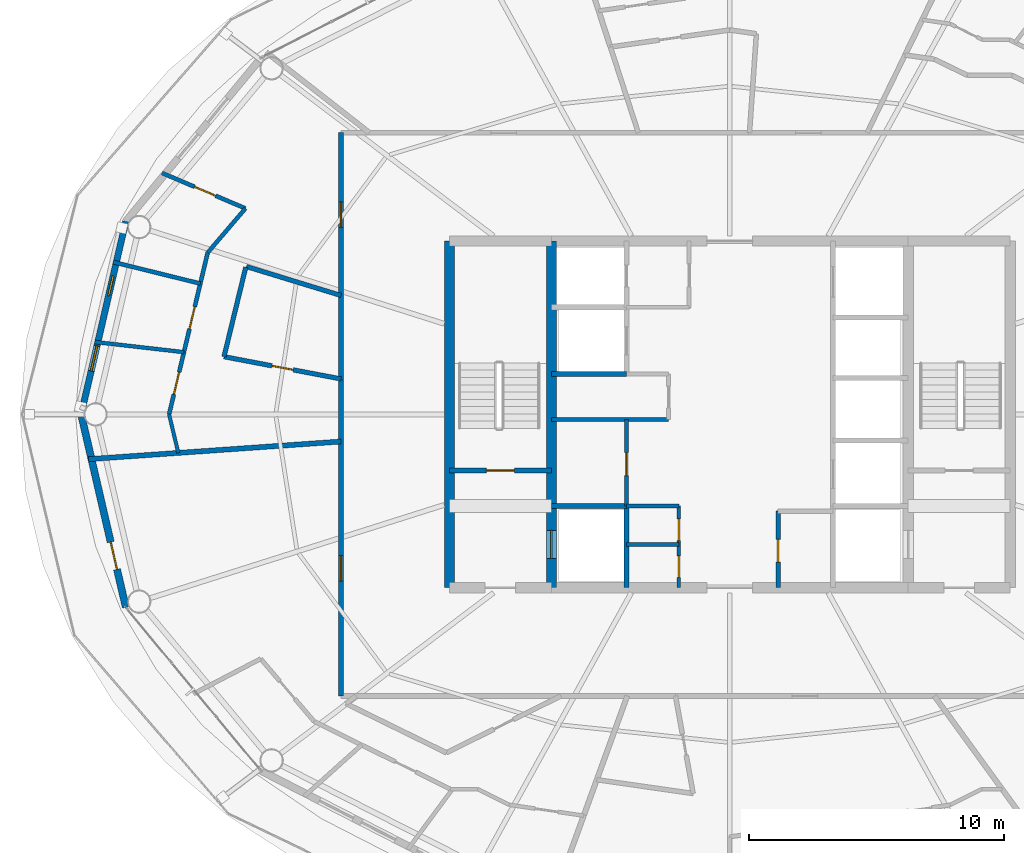
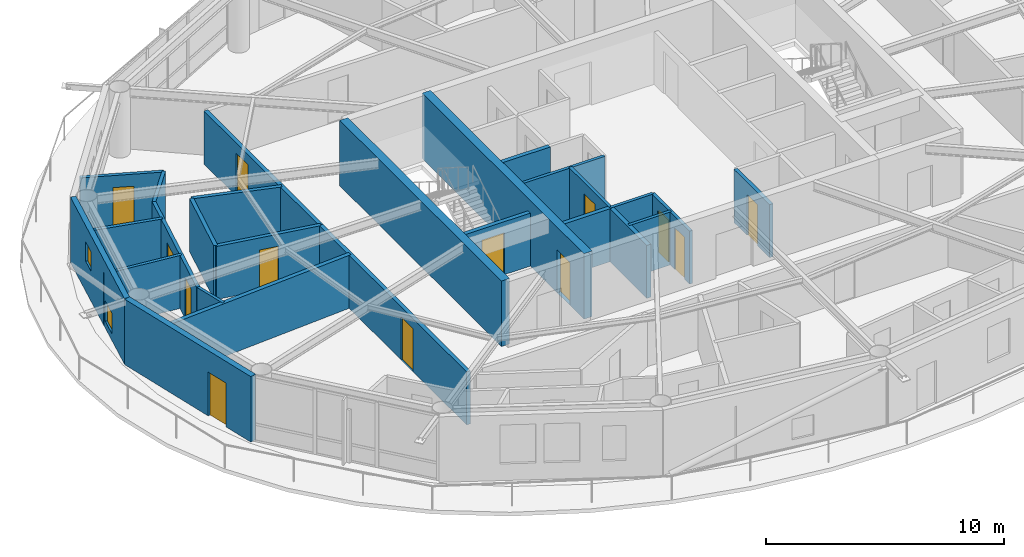
# One storey, part 16 of 23: 26 walls, 13 doors, 2 windows, 15 openings.
"""IFC4 building model written with IfcOpenShell, lengths in metres."""

from ifc_helpers import new_model, si_unit, direction, frame, frame_2d, origin, place, context, subcontext, project, spatial, rectangle, extrude, material, layer, layer_set, type_object, element, fill, save


model = new_model("IFC4")

# Units and contexts
model_context = context("Model", 3, precision=1e-05, world=origin(), true_north=direction((0.0, 1.0)))
body_context = subcontext(model_context, "Body", "Model", "MODEL_VIEW")
ifc_project = project(units=[si_unit("LENGTHUNIT", "METRE"), si_unit("AREAUNIT", "SQUARE_METRE"), si_unit("VOLUMEUNIT", "CUBIC_METRE"), si_unit("PLANEANGLEUNIT", "RADIAN"), si_unit("MASSUNIT", "GRAM", prefix="KILO")], contexts=[model_context])

# Site, building, storey
site_placement = place(None, origin())
site = spatial("IfcSite", under=ifc_project, at=site_placement, CompositionType="ELEMENT")
building_placement = place(site_placement, origin())
building = spatial("IfcBuilding", under=site, at=building_placement, Name="Sarneth Arch Tower", CompositionType="ELEMENT")
storey_placement = place(building_placement, frame((0.0, 0.0, 220.800048828125)))
storey = spatial("IfcBuildingStorey", under=building, at=storey_placement, Name="L56", CompositionType="ELEMENT", Elevation=220.800048828125)

# Wall
ifc_material_1 = material(Name="Concrete C50/60", Category="concrete")
ifc_layer_1 = layer(ifc_material_1, 0.39990234375)
ifc_layer_set_1 = layer_set([ifc_layer_1], Name="Concrete C50/60")
wall_type_1 = type_object("IfcWallType", Name="WALL-CORE-400", PredefinedType="SHEAR", material=ifc_layer_set_1)
wall_1_placement = place(storey_placement, frame((37.0, 35.199951171875, 0.0), z_axis=(0.0, 0.0, 1.0), x_axis=(0.0, 1.0, 0.0)))
element("IfcWall", 1, at=wall_1_placement, inside=storey, type_object=wall_type_1, Name="L56 Core shear wall W", PredefinedType="SHEAR", context=body_context, shape_type="SweptSolid", body=[
    extrude(rectangle(XDim=13.60009765625, YDim=0.39990234375, at=frame_2d((6.800048828125, 0.0))), origin(), (0.0, 0.0, 1.0), 3.35986328125),
])

# Wall, opening, door
wall_2_placement = place(storey_placement, frame((41.0, 35.199951171875, 0.0), z_axis=(0.0, 0.0, 1.0), x_axis=(0.0, 1.0, 0.0)))
wall_2 = element("IfcWall", 2, at=wall_2_placement, inside=storey, type_object=wall_type_1, Name="L56 Core shear wall WEB-W", PredefinedType="SHEAR", context=body_context, shape_type="SweptSolid", body=[
    extrude(rectangle(XDim=13.60009765625, YDim=0.39990234375, at=frame_2d((6.800048828125, 0.0))), origin(), (0.0, 0.0, 1.0), 3.35986328125),
])
opening_1_placement = place(wall_2_placement, frame((1.14990234375, 0.0, 0.0)))
opening_1 = element("IfcOpeningElement", 3, at=opening_1_placement, cuts=wall_2, Name="Opening LD-1", PredefinedType="OPENING", context=body_context, shape_type="SweptSolid", body=[
    extrude(rectangle(XDim=1.10009765625, YDim=2.199951171875, at=frame_2d((0.550048828125, 1.10009765625))), frame((0.0, 0.2099609375, 0.0), z_axis=(0.0, -1.0, 0.0), x_axis=(1.0, 0.0, 0.0)), (0.0, 0.0, 1.0), 0.419921875),
])
ifc_material_2 = material(Name="Brushed Stainless Steel 304 lift landing door", Category="steel")
door_type_1 = type_object("IfcDoorType", Name="DR-LIFT-SLIDE-1100", OperationType="SLIDING_TO_LEFT", PredefinedType="DOOR", material=ifc_material_2)
door_1_placement = place(opening_1_placement, origin())
door_1 = element("IfcDoor", 4, at=door_1_placement, inside=storey, type_object=door_type_1, Name="L56 Firefighting lift landing door FL-1", OperationType="SLIDING_TO_LEFT", OverallHeight=2.199951171875, OverallWidth=1.10009765625, PredefinedType="DOOR", context=body_context, shape_type="SweptSolid", body=[
    extrude(rectangle(XDim=1.10009765625, YDim=2.199951171875, at=frame_2d((0.550048828125, 1.10009765625))), frame((0.0, 0.02490234375, 0.0), z_axis=(0.0, -1.0, 0.0), x_axis=(1.0, 0.0, 0.0)), (0.0, 0.0, 1.0), 0.050048828125),
])
fill(opening_1, door_1)

ifc_material_3 = material(Name="Double steel-stud corridor fire wall", Category="steel")
ifc_layer_2 = layer(ifc_material_3, 0.18994140625)
ifc_layer_set_2 = layer_set([ifc_layer_2], Name="Double steel-stud corridor fire wall")
wall_type_2 = type_object("IfcWallType", Name="WALL-CORR-190", PredefinedType="PARTITIONING", material=ifc_layer_set_2)
wall_3_placement = place(storey_placement, frame((32.75, 30.949951171875, 0.0), z_axis=(0.0, 0.0, 1.0), x_axis=(0.0, 1.0, 0.0)))
wall_3 = element("IfcWall", 5, at=wall_3_placement, inside=storey, type_object=wall_type_2, Name="L56 Interior partition W-L56-TP-012", PredefinedType="PARTITIONING", context=body_context, shape_type="SweptSolid", body=[
    extrude(rectangle(XDim=12.47119140625, YDim=0.18994140625, at=frame_2d((6.235595703125, 0.0))), origin(), (0.0, 0.0, 1.0), 2.719970703125),
])
opening_2_placement = place(wall_3_placement, frame((4.5078125, 0.0, 0.0)))
opening_2 = element("IfcOpeningElement", 6, at=opening_2_placement, cuts=wall_3, Name="Opening FD-08", PredefinedType="OPENING", context=body_context, shape_type="SweptSolid", body=[
    extrude(rectangle(XDim=1.0, YDim=2.199951171875, at=frame_2d((0.5, 1.10009765625))), frame((0.0, 0.10498046875, 0.0), z_axis=(0.0, -1.0, 0.0), x_axis=(1.0, 0.0, 0.0)), (0.0, 0.0, 1.0), 0.2099609375),
])
ifc_material_4 = material(Name="Hardwood timber acoustic fire door", Category="wood")
door_type_2 = type_object("IfcDoorType", Name="DR-FD60-1000", OperationType="SINGLE_SWING_LEFT", PredefinedType="DOOR", material=ifc_material_4)
door_2_placement = place(opening_2_placement, origin())
door_2 = element("IfcDoor", 7, at=door_2_placement, inside=storey, type_object=door_type_2, Name="L56 Interior door DR-L56-U5-ENT", OperationType="SINGLE_SWING_LEFT", OverallHeight=2.199951171875, OverallWidth=1.0, PredefinedType="DOOR", context=body_context, shape_type="SweptSolid", body=[
    extrude(rectangle(XDim=1.0, YDim=2.199951171875, at=frame_2d((0.5, 1.10009765625))), frame((0.0, 0.02490234375, 0.0), z_axis=(0.0, -1.0, 0.0), x_axis=(1.0, 0.0, 0.0)), (0.0, 0.0, 1.0), 0.050048828125),
])
fill(opening_2, door_2)

wall_4_placement = place(storey_placement, frame((32.75, 43.35595703125, 0.0), z_axis=(0.0, 0.0, 1.0), x_axis=(0.0, 1.0, 0.0)))
wall_4 = element("IfcWall", 8, at=wall_4_placement, inside=storey, type_object=wall_type_2, Name="L56 Interior partition W-L56-TP-008", PredefinedType="PARTITIONING", context=body_context, shape_type="SweptSolid", body=[
    extrude(rectangle(XDim=9.694091796875, YDim=0.18994140625, at=frame_2d((4.84716796875, 0.0))), origin(), (0.0, 0.0, 1.0), 2.719970703125),
])
opening_3_placement = place(wall_4_placement, frame((5.9833984375, 0.0, 0.0)))
opening_3 = element("IfcOpeningElement", 9, at=opening_3_placement, cuts=wall_4, Name="Opening FD-08", PredefinedType="OPENING", context=body_context, shape_type="SweptSolid", body=[
    extrude(rectangle(XDim=1.0, YDim=2.199951171875, at=frame_2d((0.5, 1.10009765625))), frame((0.0, 0.10498046875, 0.0), z_axis=(0.0, -1.0, 0.0), x_axis=(1.0, 0.0, 0.0)), (0.0, 0.0, 1.0), 0.2099609375),
])
door_3_placement = place(opening_3_placement, origin())
door_3 = element("IfcDoor", 10, at=door_3_placement, inside=storey, type_object=door_type_2, Name="L56 Interior door DR-L56-U4-ENT", OperationType="SINGLE_SWING_LEFT", OverallHeight=2.199951171875, OverallWidth=1.0, PredefinedType="DOOR", context=body_context, shape_type="SweptSolid", body=[
    extrude(rectangle(XDim=1.0, YDim=2.199951171875, at=frame_2d((0.5, 1.10009765625))), frame((0.0, 0.02490234375, 0.0), z_axis=(0.0, -1.0, 0.0), x_axis=(1.0, 0.0, 0.0)), (0.0, 0.0, 1.0), 0.050048828125),
])
fill(opening_3, door_3)

# Wall, openings, windows
ifc_material_5 = material(Name="Extruded terracotta rainscreen on Concrete C40/50 backing", Category="masonry")
ifc_layer_3 = layer(ifc_material_5, 0.25)
ifc_layer_set_3 = layer_set([ifc_layer_3], Name="Extruded terracotta rainscreen on Concrete C40/50 backing")
wall_type_3 = type_object("IfcWallType", Name="WALL-EXT-SPAND-250", PredefinedType="SOLIDWALL", material=ifc_layer_set_3)
wall_5_placement = place(storey_placement, frame((24.30615234375, 49.569580078125, 0.0), z_axis=(0.0, 0.0, 1.0), x_axis=(-0.225635078214, -0.974211892495, 0.0)))
wall_5 = element("IfcWall", 11, at=wall_5_placement, inside=storey, type_object=wall_type_3, Name="L56 Terracotta perimeter wall 08", PredefinedType="SOLIDWALL", context=body_context, shape_type="SweptSolid", body=[
    extrude(rectangle(XDim=7.77001953125, YDim=0.25, at=frame_2d((3.885009765625, 0.0))), origin(), (0.0, 0.0, 1.0), 3.35986328125),
])
opening_4_placement = place(wall_5_placement, frame((2.195068359375, 0.0, 1.5400390625)))
opening_4 = element("IfcOpeningElement", 12, at=opening_4_placement, cuts=wall_5, Name="Opening W-15", PredefinedType="OPENING", context=body_context, shape_type="SweptSolid", body=[
    extrude(rectangle(XDim=0.800048828125, YDim=1.0, at=frame_2d((0.39990234375, 0.5))), frame((0.0, 0.135009765625, 0.0), z_axis=(0.0, -1.0, 0.0), x_axis=(1.0, 0.0, 0.0)), (0.0, 0.0, 1.0), 0.27001953125),
])
opening_5_placement = place(wall_5_placement, frame((5.02392578125, 0.0, 0.35009765625)))
opening_5 = element("IfcOpeningElement", 13, at=opening_5_placement, cuts=wall_5, Name="Opening W-14", PredefinedType="OPENING", context=body_context, shape_type="SweptSolid", body=[
    extrude(rectangle(XDim=1.0, YDim=1.050048828125, at=frame_2d((0.5, 0.52490234375))), frame((0.0, 0.135009765625, 0.0), z_axis=(0.0, -1.0, 0.0), x_axis=(1.0, 0.0, 0.0)), (0.0, 0.0, 1.0), 0.27001953125),
])
ifc_material_6 = material(Name="Thermally broken Aluminium 6063-T6 and low-e laminated IGU", Category="aluminium")
window_type_1 = type_object("IfcWindowType", Name="WIN-TWR-1000x1050", PartitioningType="SINGLE_PANEL", PredefinedType="WINDOW", material=ifc_material_6)
window_1_placement = place(opening_5_placement, origin())
window_1 = element("IfcWindow", 14, at=window_1_placement, inside=storey, type_object=window_type_1, Name="L56 Dwelling bedroom window 03", OverallHeight=1.050048828125, OverallWidth=1.0, PartitioningType="SINGLE_PANEL", PredefinedType="WINDOW", context=body_context, shape_type="SweptSolid", body=[
    extrude(rectangle(XDim=1.0, YDim=1.050048828125, at=frame_2d((0.5, 0.52490234375))), frame((0.0, 0.030029296875, 0.0), z_axis=(0.0, -1.0, 0.0), x_axis=(1.0, 0.0, 0.0)), (0.0, 0.0, 1.0), 0.06005859375),
])
fill(opening_5, window_1)
ifc_material_7 = material(Name="Thermally broken Aluminium 6063-T6 and low-e laminated IGU", Category="aluminium")
window_type_2 = type_object("IfcWindowType", Name="WIN-TWR-800x1000", PartitioningType="SINGLE_PANEL", PredefinedType="WINDOW", material=ifc_material_7)
window_2_placement = place(opening_4_placement, origin())
window_2 = element("IfcWindow", 15, at=window_2_placement, inside=storey, type_object=window_type_2, Name="L56 Dwelling bedroom window 02", OverallHeight=1.0, OverallWidth=0.800048828125, PartitioningType="SINGLE_PANEL", PredefinedType="WINDOW", context=body_context, shape_type="SweptSolid", body=[
    extrude(rectangle(XDim=0.800048828125, YDim=1.0, at=frame_2d((0.39990234375, 0.5))), frame((0.0, 0.030029296875, 0.0), z_axis=(0.0, -1.0, 0.0), x_axis=(1.0, 0.0, 0.0)), (0.0, 0.0, 1.0), 0.06005859375),
])
fill(opening_4, window_2)

# Wall, opening, door
ifc_material_8 = material(Name="Extruded terracotta rainscreen on Concrete C40/50 backing", Category="masonry")
ifc_layer_4 = layer(ifc_material_8, 0.280029296875)
ifc_layer_set_4 = layer_set([ifc_layer_4], Name="Extruded terracotta rainscreen on Concrete C40/50 backing")
wall_type_4 = type_object("IfcWallType", Name="WALL-EXT-TERRA-280", PredefinedType="SOLIDWALL", material=ifc_layer_set_4)
wall_6_placement = place(storey_placement, frame((22.552978515625, 42.0, 0.0), z_axis=(0.0, 0.0, 1.0), x_axis=(0.225635078214, -0.974211892495, 0.0)))
wall_6 = element("IfcWall", 16, at=wall_6_placement, inside=storey, type_object=wall_type_4, Name="L56 Terracotta perimeter wall 09", PredefinedType="SOLIDWALL", context=body_context, shape_type="SweptSolid", body=[
    extrude(rectangle(XDim=7.77001953125, YDim=0.280029296875, at=frame_2d((3.885009765625, 0.0))), origin(), (0.0, 0.0, 1.0), 3.35986328125),
])
opening_6_placement = place(wall_6_placement, frame((5.14208984375, 0.0, 0.0)))
opening_6 = element("IfcOpeningElement", 17, at=opening_6_placement, cuts=wall_6, Name="Opening BD-3", PredefinedType="OPENING", context=body_context, shape_type="SweptSolid", body=[
    extrude(rectangle(XDim=1.10009765625, YDim=2.25, at=frame_2d((0.550048828125, 1.125))), frame((0.0, 0.14990234375, 0.0), z_axis=(0.0, -1.0, 0.0), x_axis=(1.0, 0.0, 0.0)), (0.0, 0.0, 1.0), 0.300048828125),
])
ifc_material_9 = material(Name="Thermally broken Aluminium 6063-T6 and laminated safety glass", Category="aluminium")
door_type_3 = type_object("IfcDoorType", Name="DR-BALC-GLZ-1100", OperationType="SINGLE_SWING_LEFT", PredefinedType="DOOR", material=ifc_material_9)
door_4_placement = place(opening_6_placement, origin())
door_4 = element("IfcDoor", 18, at=door_4_placement, inside=storey, type_object=door_type_3, Name="L56 Balcony glazed door 09", OperationType="SINGLE_SWING_LEFT", OverallHeight=2.25, OverallWidth=1.10009765625, PredefinedType="DOOR", context=body_context, shape_type="SweptSolid", body=[
    extrude(rectangle(XDim=1.10009765625, YDim=2.25, at=frame_2d((0.550048828125, 1.125))), frame((0.0, 0.02490234375, 0.0), z_axis=(0.0, -1.0, 0.0), x_axis=(1.0, 0.0, 0.0)), (0.0, 0.0, 1.0), 0.050048828125),
])
fill(opening_6, door_4)

# Wall
ifc_material_10 = material(Name="Apartment internal stud partition", Category="gypsum")
ifc_layer_5 = layer(ifc_material_10, 0.139892578125)
ifc_layer_set_5 = layer_set([ifc_layer_5], Name="Apartment internal stud partition")
wall_type_5 = type_object("IfcWallType", Name="WALL-PART-140", PredefinedType="PARTITIONING", material=ifc_layer_set_5)
wall_7_placement = place(storey_placement, frame((26.003662109375, 42.0, 0.0), z_axis=(0.0, 0.0, 1.0), x_axis=(0.232292411737, -0.972645996984, 0.0)))
element("IfcWall", 19, at=wall_7_placement, inside=storey, type_object=wall_type_5, Name="L56 Interior partition W-L56-TP-061", PredefinedType="PARTITIONING", context=body_context, shape_type="SweptSolid", body=[
    extrude(rectangle(XDim=1.555419921875, YDim=0.139892578125, at=frame_2d((0.77783203125, 0.0))), origin(), (0.0, 0.0, 1.0), 2.719970703125),
])

# Wall, opening, door
ifc_material_11 = material(Name="Acoustic gypsum stud partition", Category="gypsum")
ifc_layer_6 = layer(ifc_material_11, 0.14990234375)
ifc_layer_set_6 = layer_set([ifc_layer_6], Name="Acoustic gypsum stud partition")
wall_type_6 = type_object("IfcWallType", Name="WALL-PART-150", PredefinedType="PARTITIONING", material=ifc_layer_set_6)
wall_8_placement = place(storey_placement, frame((43.949951171875, 38.39990234375, 0.0), z_axis=(0.0, 0.0, 1.0), x_axis=(0.0, 1.0, 0.0)))
wall_8 = element("IfcWall", 20, at=wall_8_placement, inside=storey, type_object=wall_type_6, Name="L56 Interior partition W-L56-RECPL-E1", PredefinedType="PARTITIONING", context=body_context, shape_type="SweptSolid", body=[
    extrude(rectangle(XDim=3.400146484375, YDim=0.14990234375, at=frame_2d((1.7001953125, 0.0))), origin(), (0.0, 0.0, 1.0), 2.719970703125),
])
opening_7_placement = place(wall_8_placement, frame((1.199951171875, 0.0, 0.0)))
opening_7 = element("IfcOpeningElement", 21, at=opening_7_placement, cuts=wall_8, Name="Opening FD-10", PredefinedType="OPENING", context=body_context, shape_type="SweptSolid", body=[
    extrude(rectangle(XDim=0.89990234375, YDim=2.14990234375, at=frame_2d((0.449951171875, 1.074951171875))), frame((0.0, 0.0849609375, 0.0), z_axis=(0.0, -1.0, 0.0), x_axis=(1.0, 0.0, 0.0)), (0.0, 0.0, 1.0), 0.169921875),
])
ifc_material_12 = material(Name="Galvanised Steel S275 riser/service fire door", Category="steel")
door_type_4 = type_object("IfcDoorType", Name="DR-FD60-900", OperationType="SINGLE_SWING_LEFT", PredefinedType="DOOR", material=ifc_material_12)
door_5_placement = place(opening_7_placement, origin())
door_5 = element("IfcDoor", 22, at=door_5_placement, inside=storey, type_object=door_type_4, Name="L56 Interior door DR-L56-RECPL1", OperationType="SINGLE_SWING_LEFT", OverallHeight=2.14990234375, OverallWidth=0.89990234375, PredefinedType="DOOR", context=body_context, shape_type="SweptSolid", body=[
    extrude(rectangle(XDim=0.89990234375, YDim=2.14990234375, at=frame_2d((0.449951171875, 1.074951171875))), frame((0.0, 0.02490234375, 0.0), z_axis=(0.0, -1.0, 0.0), x_axis=(1.0, 0.0, 0.0)), (0.0, 0.0, 1.0), 0.050048828125),
])
fill(opening_7, door_5)

# Walls
wall_9_placement = place(storey_placement, frame((41.0, 41.800048828125, 0.0), z_axis=(0.0, 0.0, 1.0), x_axis=(1.0, 0.0, 0.0)))
element("IfcWall", 23, at=wall_9_placement, inside=storey, type_object=wall_type_6, Name="L56 Interior partition W-L56-RECPL-S2", PredefinedType="PARTITIONING", context=body_context, shape_type="SweptSolid", body=[
    extrude(rectangle(XDim=4.60009765625, YDim=0.14990234375, at=frame_2d((2.300048828125, 0.0))), origin(), (0.0, 0.0, 1.0), 2.719970703125),
])
for number, where, z_axis, x_axis, name in (
    (24, (43.949951171875, 36.89990234375, 0.0), (0.0, 0.0, 1.0), (1.0, 0.0, 0.0), "L56 Interior partition W-L56-CSUP-M"),
    (25, (43.949951171875, 38.39990234375, 0.0), (0.0, 0.0, 1.0), (1.0, 0.0, 0.0), "L56 Interior partition W-L56-CSUP-N"),
):
    element("IfcWall", number, at=place(storey_placement, frame(where, z_axis=z_axis, x_axis=x_axis)), inside=storey, type_object=wall_type_6, Name=name, PredefinedType="PARTITIONING", context=body_context, shape_type="SweptSolid", body=[
        extrude(rectangle(XDim=2.050048828125, YDim=0.14990234375, at=frame_2d((1.02490234375, 0.0))), origin(), (0.0, 0.0, 1.0), 2.719970703125),
    ])

# Wall, openings, doors
wall_10_placement = place(storey_placement, frame((46.0, 35.199951171875, 0.0), z_axis=(0.0, 0.0, 1.0), x_axis=(0.0, 1.0, 0.0)))
wall_10 = element("IfcWall", 26, at=wall_10_placement, inside=storey, type_object=wall_type_6, Name="L56 Interior partition W-L56-CSUP-E", PredefinedType="PARTITIONING", context=body_context, shape_type="SweptSolid", body=[
    extrude(rectangle(XDim=3.199951171875, YDim=0.14990234375, at=frame_2d((1.60009765625, 0.0))), origin(), (0.0, 0.0, 1.0), 2.719970703125),
])
opening_8_placement = place(wall_10_placement, frame((0.39990234375, 0.0, 0.0)))
opening_8 = element("IfcOpeningElement", 27, at=opening_8_placement, cuts=wall_10, Name="Opening FD-11", PredefinedType="OPENING", context=body_context, shape_type="SweptSolid", body=[
    extrude(rectangle(XDim=0.85009765625, YDim=2.14990234375, at=frame_2d((0.425048828125, 1.074951171875))), frame((0.0, 0.0849609375, 0.0), z_axis=(0.0, -1.0, 0.0), x_axis=(1.0, 0.0, 0.0)), (0.0, 0.0, 1.0), 0.169921875),
])
opening_9_placement = place(wall_10_placement, frame((1.85009765625, 0.0, 0.0)))
opening_9 = element("IfcOpeningElement", 28, at=opening_9_placement, cuts=wall_10, Name="Opening FD-11", PredefinedType="OPENING", context=body_context, shape_type="SweptSolid", body=[
    extrude(rectangle(XDim=0.85009765625, YDim=2.14990234375, at=frame_2d((0.425048828125, 1.074951171875))), frame((0.0, 0.0849609375, 0.0), z_axis=(0.0, -1.0, 0.0), x_axis=(1.0, 0.0, 0.0)), (0.0, 0.0, 1.0), 0.169921875),
])
ifc_material_13 = material(Name="Galvanised Steel S275 closet fire door", Category="steel")
door_type_5 = type_object("IfcDoorType", Name="DR-FD60-850", OperationType="SINGLE_SWING_LEFT", PredefinedType="DOOR", material=ifc_material_13)
door_6_placement = place(opening_8_placement, origin())
door_6 = element("IfcDoor", 29, at=door_6_placement, inside=storey, type_object=door_type_5, Name="L56 Interior door DR-L56-CSUP1", OperationType="SINGLE_SWING_LEFT", OverallHeight=2.14990234375, OverallWidth=0.85009765625, PredefinedType="DOOR", context=body_context, shape_type="SweptSolid", body=[
    extrude(rectangle(XDim=0.85009765625, YDim=2.14990234375, at=frame_2d((0.425048828125, 1.074951171875))), frame((0.0, 0.02490234375, 0.0), z_axis=(0.0, -1.0, 0.0), x_axis=(1.0, 0.0, 0.0)), (0.0, 0.0, 1.0), 0.050048828125),
])
fill(opening_8, door_6)
door_7_placement = place(opening_9_placement, origin())
door_7 = element("IfcDoor", 30, at=door_7_placement, inside=storey, type_object=door_type_5, Name="L56 Interior door DR-L56-CSUP2", OperationType="SINGLE_SWING_RIGHT", OverallHeight=2.14990234375, OverallWidth=0.85009765625, PredefinedType="DOOR", context=body_context, shape_type="SweptSolid", body=[
    extrude(rectangle(XDim=0.85009765625, YDim=2.14990234375, at=frame_2d((0.425048828125, 1.074951171875))), frame((0.0, 0.02490234375, 0.0), z_axis=(0.0, -1.0, 0.0), x_axis=(1.0, 0.0, 0.0)), (0.0, 0.0, 1.0), 0.050048828125),
])
fill(opening_9, door_7)

# Wall
wall_11_placement = place(storey_placement, frame((23.088134765625, 44.83837890625, 0.0), z_axis=(0.0, 0.0, 1.0), x_axis=(0.99356860566, -0.113231735156, 0.0)))
element("IfcWall", 31, at=wall_11_placement, inside=storey, type_object=wall_type_6, Name="L56 Interior partition W-L56-TP-064", PredefinedType="PARTITIONING", context=body_context, shape_type="SweptSolid", body=[
    extrude(rectangle(XDim=3.52099609375, YDim=0.14990234375, at=frame_2d((1.760498046875, 0.0))), origin(), (0.0, 0.0, 1.0), 2.719970703125),
])

# Wall, opening, door
ifc_material_14 = material(Name="Kitchen wet service chase wall", Category="gypsum")
ifc_layer_7 = layer(ifc_material_14, 0.159912109375)
ifc_layer_set_7 = layer_set([ifc_layer_7], Name="Kitchen wet service chase wall")
wall_type_7 = type_object("IfcWallType", Name="WALL-PLUMB-160", PredefinedType="PLUMBINGWALL", material=ifc_layer_set_7)
wall_12_placement = place(storey_placement, frame((25.728515625, 51.46826171875, 0.0), z_axis=(0.0, 0.0, 1.0), x_axis=(0.920292576495, -0.39123084445, 0.0)))
wall_12 = element("IfcWall", 32, at=wall_12_placement, inside=storey, type_object=wall_type_7, Name="L56 Interior partition W-L56-TP-053", PredefinedType="PLUMBINGWALL", context=body_context, shape_type="SweptSolid", body=[
    extrude(rectangle(XDim=3.55322265625, YDim=0.159912109375, at=frame_2d((1.776611328125, 0.0))), origin(), (0.0, 0.0, 1.0), 2.719970703125),
])
opening_10_placement = place(wall_12_placement, frame((1.38671875, 0.0, 0.0)))
opening_10 = element("IfcOpeningElement", 33, at=opening_10_placement, cuts=wall_12, Name="Opening ID-01", PredefinedType="OPENING", context=body_context, shape_type="SweptSolid", body=[
    extrude(rectangle(XDim=0.89990234375, YDim=2.10009765625, at=frame_2d((0.449951171875, 1.050048828125))), frame((0.0, 0.08984375, 0.0), z_axis=(0.0, -1.0, 0.0), x_axis=(1.0, 0.0, 0.0)), (0.0, 0.0, 1.0), 0.179931640625),
])
ifc_material_15 = material(Name="Engineered hardwood flush door", Category="wood")
door_type_6 = type_object("IfcDoorType", Name="DR-INT-900", OperationType="SINGLE_SWING_LEFT", PredefinedType="DOOR", material=ifc_material_15)
door_8_placement = place(opening_10_placement, origin())
door_8 = element("IfcDoor", 34, at=door_8_placement, inside=storey, type_object=door_type_6, Name="L56 Interior door DR-L56-U4-KIT", OperationType="SINGLE_SWING_LEFT", OverallHeight=2.10009765625, OverallWidth=0.89990234375, PredefinedType="DOOR", context=body_context, shape_type="SweptSolid", body=[
    extrude(rectangle(XDim=0.89990234375, YDim=2.10009765625, at=frame_2d((0.449951171875, 1.050048828125))), frame((0.0, 0.02490234375, 0.0), z_axis=(0.0, -1.0, 0.0), x_axis=(1.0, 0.0, 0.0)), (0.0, 0.0, 1.0), 0.050048828125),
])
fill(opening_10, door_8)

# Wall
wall_13_placement = place(storey_placement, frame((27.22900390625, 47.129638671875, 0.0), z_axis=(0.0, 0.0, 1.0), x_axis=(-0.970832476512, 0.239758842484, 0.0)))
element("IfcWall", 35, at=wall_13_placement, inside=storey, type_object=wall_type_7, Name="L56 Interior partition W-L56-TP-063", PredefinedType="PLUMBINGWALL", context=body_context, shape_type="SweptSolid", body=[
    extrude(rectangle(XDim=3.51806640625, YDim=0.159912109375, at=frame_2d((1.759033203125, 0.0))), origin(), (0.0, 0.0, 1.0), 2.719970703125),
])

# Wall, openings, doors
wall_14_placement = place(storey_placement, frame((26.003662109375, 42.0, 0.0), z_axis=(0.0, 0.0, 1.0), x_axis=(0.232298462197, 0.972644551962, 0.0)))
wall_14 = element("IfcWall", 36, at=wall_14_placement, inside=storey, type_object=wall_type_7, Name="L56 Interior partition W-L56-TP-059", PredefinedType="PLUMBINGWALL", context=body_context, shape_type="SweptSolid", body=[
    extrude(rectangle(XDim=6.5234375, YDim=0.159912109375, at=frame_2d((3.26171875, 0.0))), origin(), (0.0, 0.0, 1.0), 2.719970703125),
])
opening_11_placement = place(wall_14_placement, frame((3.441162109375, 0.0, 0.0)))
opening_11 = element("IfcOpeningElement", 37, at=opening_11_placement, cuts=wall_14, Name="Opening ID-01", PredefinedType="OPENING", context=body_context, shape_type="SweptSolid", body=[
    extrude(rectangle(XDim=0.89990234375, YDim=2.10009765625, at=frame_2d((0.449951171875, 1.050048828125))), frame((0.0, 0.08984375, 0.0), z_axis=(0.0, -1.0, 0.0), x_axis=(1.0, 0.0, 0.0)), (0.0, 0.0, 1.0), 0.179931640625),
])
opening_12_placement = place(wall_14_placement, frame((0.80419921875, 0.0, 0.0)))
opening_12 = element("IfcOpeningElement", 38, at=opening_12_placement, cuts=wall_14, Name="Opening ID-01", PredefinedType="OPENING", context=body_context, shape_type="SweptSolid", body=[
    extrude(rectangle(XDim=0.89990234375, YDim=2.10009765625, at=frame_2d((0.449951171875, 1.050048828125))), frame((0.0, 0.08984375, 0.0), z_axis=(0.0, -1.0, 0.0), x_axis=(1.0, 0.0, 0.0)), (0.0, 0.0, 1.0), 0.179931640625),
])
door_9_placement = place(opening_11_placement, origin())
door_9 = element("IfcDoor", 39, at=door_9_placement, inside=storey, type_object=door_type_6, Name="L56 Interior door DR-L56-U4-BED1", OperationType="SINGLE_SWING_LEFT", OverallHeight=2.10009765625, OverallWidth=0.89990234375, PredefinedType="DOOR", context=body_context, shape_type="SweptSolid", body=[
    extrude(rectangle(XDim=0.89990234375, YDim=2.10009765625, at=frame_2d((0.449951171875, 1.050048828125))), frame((0.0, 0.02490234375, 0.0), z_axis=(0.0, -1.0, 0.0), x_axis=(1.0, 0.0, 0.0)), (0.0, 0.0, 1.0), 0.050048828125),
])
fill(opening_11, door_9)
door_10_placement = place(opening_12_placement, origin())
door_10 = element("IfcDoor", 40, at=door_10_placement, inside=storey, type_object=door_type_6, Name="L56 Interior door DR-L56-U4-BED2", OperationType="SINGLE_SWING_RIGHT", OverallHeight=2.10009765625, OverallWidth=0.89990234375, PredefinedType="DOOR", context=body_context, shape_type="SweptSolid", body=[
    extrude(rectangle(XDim=0.89990234375, YDim=2.10009765625, at=frame_2d((0.449951171875, 1.050048828125))), frame((0.0, 0.02490234375, 0.0), z_axis=(0.0, -1.0, 0.0), x_axis=(1.0, 0.0, 0.0)), (0.0, 0.0, 1.0), 0.050048828125),
])
fill(opening_12, door_10)

# Wall
wall_15_placement = place(storey_placement, frame((28.99853515625, 50.078125, 0.0), z_axis=(0.0, 0.0, 1.0), x_axis=(-0.649254822002, -0.760570954025, 0.0)))
element("IfcWall", 41, at=wall_15_placement, inside=storey, type_object=wall_type_7, Name="L56 Interior partition W-L56-TP-054", PredefinedType="PLUMBINGWALL", context=body_context, shape_type="SweptSolid", body=[
    extrude(rectangle(XDim=2.27880859375, YDim=0.159912109375, at=frame_2d((1.139404296875, 0.0))), origin(), (0.0, 0.0, 1.0), 2.719970703125),
])

# Wall, opening, door
ifc_material_16 = material(Name="Moisture-resistant plumbing chase wall", Category="gypsum")
ifc_layer_8 = layer(ifc_material_16, 0.179931640625)
ifc_layer_set_8 = layer_set([ifc_layer_8], Name="Moisture-resistant plumbing chase wall")
wall_type_8 = type_object("IfcWallType", Name="WALL-PLUMB-180", PredefinedType="PLUMBINGWALL", material=ifc_layer_set_8)
wall_16_placement = place(storey_placement, frame((49.89990234375, 35.199951171875, 0.0), z_axis=(0.0, 0.0, 1.0), x_axis=(0.0, 1.0, 0.0)))
wall_16 = element("IfcWall", 42, at=wall_16_placement, inside=storey, type_object=wall_type_8, Name="L56 Interior partition W-L56-AWC-W", PredefinedType="PLUMBINGWALL", context=body_context, shape_type="SweptSolid", body=[
    extrude(rectangle(XDim=3.0, YDim=0.179931640625, at=frame_2d((1.5, 0.0))), origin(), (0.0, 0.0, 1.0), 2.719970703125),
])
opening_13_placement = place(wall_16_placement, frame((1.0, 0.0, 0.0)))
opening_13 = element("IfcOpeningElement", 43, at=opening_13_placement, cuts=wall_16, Name="Opening ID-01", PredefinedType="OPENING", context=body_context, shape_type="SweptSolid", body=[
    extrude(rectangle(XDim=0.89990234375, YDim=2.10009765625, at=frame_2d((0.449951171875, 1.050048828125))), frame((0.0, 0.099853515625, 0.0), z_axis=(0.0, -1.0, 0.0), x_axis=(1.0, 0.0, 0.0)), (0.0, 0.0, 1.0), 0.199951171875),
])
door_11_placement = place(opening_13_placement, origin())
door_11 = element("IfcDoor", 44, at=door_11_placement, inside=storey, type_object=door_type_6, Name="L56 Interior door DR-L56-AWC", OperationType="SINGLE_SWING_RIGHT", OverallHeight=2.10009765625, OverallWidth=0.89990234375, PredefinedType="DOOR", context=body_context, shape_type="SweptSolid", body=[
    extrude(rectangle(XDim=0.89990234375, YDim=2.10009765625, at=frame_2d((0.449951171875, 1.050048828125))), frame((0.0, 0.02490234375, 0.0), z_axis=(0.0, -1.0, 0.0), x_axis=(1.0, 0.0, 0.0)), (0.0, 0.0, 1.0), 0.050048828125),
])
fill(opening_13, door_11)

wall_17_placement = place(storey_placement, frame((32.75, 43.388671875, 0.0), z_axis=(0.0, 0.0, 1.0), x_axis=(-0.982412093784, 0.186725675755, 0.0)))
wall_17 = element("IfcWall", 45, at=wall_17_placement, inside=storey, type_object=wall_type_8, Name="L56 Interior partition W-L56-TP-056", PredefinedType="PLUMBINGWALL", context=body_context, shape_type="SweptSolid", body=[
    extrude(rectangle(XDim=4.67431640625, YDim=0.179931640625, at=frame_2d((2.337158203125, 0.0))), origin(), (0.0, 0.0, 1.0), 2.719970703125),
])
opening_14_placement = place(wall_17_placement, frame((1.912109375, 0.0, 0.0)))
opening_14 = element("IfcOpeningElement", 46, at=opening_14_placement, cuts=wall_17, Name="Opening ID-02", PredefinedType="OPENING", context=body_context, shape_type="SweptSolid", body=[
    extrude(rectangle(XDim=0.85009765625, YDim=2.10009765625, at=frame_2d((0.425048828125, 1.050048828125))), frame((0.0, 0.099853515625, 0.0), z_axis=(0.0, -1.0, 0.0), x_axis=(1.0, 0.0, 0.0)), (0.0, 0.0, 1.0), 0.199951171875),
])
ifc_material_17 = material(Name="Moisture-resistant bathroom timber door", Category="wood")
door_type_7 = type_object("IfcDoorType", Name="DR-INT-850", OperationType="SINGLE_SWING_RIGHT", PredefinedType="DOOR", material=ifc_material_17)
door_12_placement = place(opening_14_placement, origin())
door_12 = element("IfcDoor", 47, at=door_12_placement, inside=storey, type_object=door_type_7, Name="L56 Interior door DR-L56-U4-BATH", OperationType="SINGLE_SWING_RIGHT", OverallHeight=2.10009765625, OverallWidth=0.85009765625, PredefinedType="DOOR", context=body_context, shape_type="SweptSolid", body=[
    extrude(rectangle(XDim=0.85009765625, YDim=2.10009765625, at=frame_2d((0.425048828125, 1.050048828125))), frame((0.0, 0.02490234375, 0.0), z_axis=(0.0, -1.0, 0.0), x_axis=(1.0, 0.0, 0.0)), (0.0, 0.0, 1.0), 0.050048828125),
])
fill(opening_14, door_12)

# Walls
wall_18_placement = place(storey_placement, frame((29.035888671875, 47.7978515625, 0.0), z_axis=(0.0, 0.0, 1.0), x_axis=(0.956306177074, -0.292367056437, 0.0)))
element("IfcWall", 48, at=wall_18_placement, inside=storey, type_object=wall_type_8, Name="L56 Interior partition W-L56-TP-058", PredefinedType="PLUMBINGWALL", context=body_context, shape_type="SweptSolid", body=[
    extrude(rectangle(XDim=3.8837890625, YDim=0.179931640625, at=frame_2d((1.94189453125, 0.0))), origin(), (0.0, 0.0, 1.0), 2.719970703125),
])
wall_19_placement = place(storey_placement, frame((28.157958984375, 44.261474609375, 0.0), z_axis=(0.0, 0.0, 1.0), x_axis=(0.236567164095, 0.971615138248, 0.0)))
element("IfcWall", 49, at=wall_19_placement, inside=storey, type_object=wall_type_8, Name="L56 Interior partition W-L56-TP-057", PredefinedType="PLUMBINGWALL", context=body_context, shape_type="SweptSolid", body=[
    extrude(rectangle(XDim=3.612060546875, YDim=0.179931640625, at=frame_2d((1.80615234375, 0.0))), origin(), (0.0, 0.0, 1.0), 2.719970703125),
])

# Wall, opening, door
ifc_material_18 = material(Name="Aerated concrete blockwork C25/30", Category="masonry")
ifc_layer_9 = layer(ifc_material_18, 0.199951171875)
ifc_layer_set_9 = layer_set([ifc_layer_9], Name="Aerated concrete blockwork C25/30")
wall_type_9 = type_object("IfcWallType", Name="WALL-SHAFT-200", PredefinedType="SOLIDWALL", material=ifc_layer_set_9)
wall_20_placement = place(storey_placement, frame((37.0, 39.800048828125, 0.0), z_axis=(0.0, 0.0, 1.0), x_axis=(1.0, 0.0, 0.0)))
wall_20 = element("IfcWall", 50, at=wall_20_placement, inside=storey, type_object=wall_type_9, Name="L56 Interior partition W-L56-ST1-S", PredefinedType="SOLIDWALL", context=body_context, shape_type="SweptSolid", body=[
    extrude(rectangle(XDim=4.0, YDim=0.199951171875, at=frame_2d((2.0, 0.0))), origin(), (0.0, 0.0, 1.0), 2.719970703125),
])
opening_15_placement = place(wall_20_placement, frame((1.449951171875, 0.0, 0.0)))
opening_15 = element("IfcOpeningElement", 51, at=opening_15_placement, cuts=wall_20, Name="Opening FD-03", PredefinedType="OPENING", context=body_context, shape_type="SweptSolid", body=[
    extrude(rectangle(XDim=1.10009765625, YDim=2.14990234375, at=frame_2d((0.550048828125, 1.074951171875))), frame((0.0, 0.10986328125, 0.0), z_axis=(0.0, -1.0, 0.0), x_axis=(1.0, 0.0, 0.0)), (0.0, 0.0, 1.0), 0.219970703125),
])
ifc_material_19 = material(Name="Galvanised Steel S275 fire door set", Category="steel")
door_type_8 = type_object("IfcDoorType", Name="DR-FD90-1100", OperationType="SINGLE_SWING_LEFT", PredefinedType="DOOR", material=ifc_material_19)
door_13_placement = place(opening_15_placement, origin())
door_13 = element("IfcDoor", 52, at=door_13_placement, inside=storey, type_object=door_type_8, Name="L56 Interior door DR-L56-ST1", OperationType="SINGLE_SWING_LEFT", OverallHeight=2.14990234375, OverallWidth=1.10009765625, PredefinedType="DOOR", context=body_context, shape_type="SweptSolid", body=[
    extrude(rectangle(XDim=1.10009765625, YDim=2.14990234375, at=frame_2d((0.550048828125, 1.074951171875))), frame((0.0, 0.02490234375, 0.0), z_axis=(0.0, -1.0, 0.0), x_axis=(1.0, 0.0, 0.0)), (0.0, 0.0, 1.0), 0.050048828125),
])
fill(opening_15, door_13)

# Walls
wall_21_placement = place(storey_placement, frame((43.949951171875, 35.199951171875, 0.0), z_axis=(0.0, 0.0, 1.0), x_axis=(0.0, 1.0, 0.0)))
element("IfcWall", 53, at=wall_21_placement, inside=storey, type_object=wall_type_9, Name="L56 Interior partition W-L56-FL1-E", PredefinedType="SOLIDWALL", context=body_context, shape_type="SweptSolid", body=[
    extrude(rectangle(XDim=3.199951171875, YDim=0.199951171875, at=frame_2d((1.60009765625, 0.0))), origin(), (0.0, 0.0, 1.0), 2.719970703125),
])
for number, where, z_axis, x_axis, name in (
    (54, (41.0, 38.39990234375, 0.0), (0.0, 0.0, 1.0), (1.0, 0.0, 0.0), "L56 Interior partition W-L56-FL1-N"),
    (55, (41.0, 43.580078125, 0.0), (0.0, 0.0, 1.0), (1.0, 0.0, 0.0), "L56 Interior partition W-L56-PM1-S"),
):
    element("IfcWall", number, at=place(storey_placement, frame(where, z_axis=z_axis, x_axis=x_axis)), inside=storey, type_object=wall_type_9, Name=name, PredefinedType="SOLIDWALL", context=body_context, shape_type="SweptSolid", body=[
        extrude(rectangle(XDim=2.949951171875, YDim=0.199951171875, at=frame_2d((1.47509765625, 0.0))), origin(), (0.0, 0.0, 1.0), 2.719970703125),
    ])
ifc_material_20 = material(Name="Double steel-stud acoustic drywall", Category="steel")
ifc_layer_10 = layer(ifc_material_20, 0.199951171875)
ifc_layer_set_10 = layer_set([ifc_layer_10], Name="Double steel-stud acoustic drywall")
wall_type_10 = type_object("IfcWallType", Name="WALL-UNIT-200", PredefinedType="PARTITIONING", material=ifc_layer_set_10)
wall_22_placement = place(storey_placement, frame((32.75, 40.93359375, 0.0), z_axis=(0.0, 0.0, 1.0), x_axis=(-0.997563620801, -0.069762615023, 0.0)))
element("IfcWall", 56, at=wall_22_placement, inside=storey, type_object=wall_type_10, Name="L56 Interior partition W-L56-TP-062", PredefinedType="PARTITIONING", context=body_context, shape_type="SweptSolid", body=[
    extrude(rectangle(XDim=9.935302734375, YDim=0.199951171875, at=frame_2d((4.9677734375, 0.0))), origin(), (0.0, 0.0, 1.0), 2.719970703125),
])

save(model, "model.ifc")
